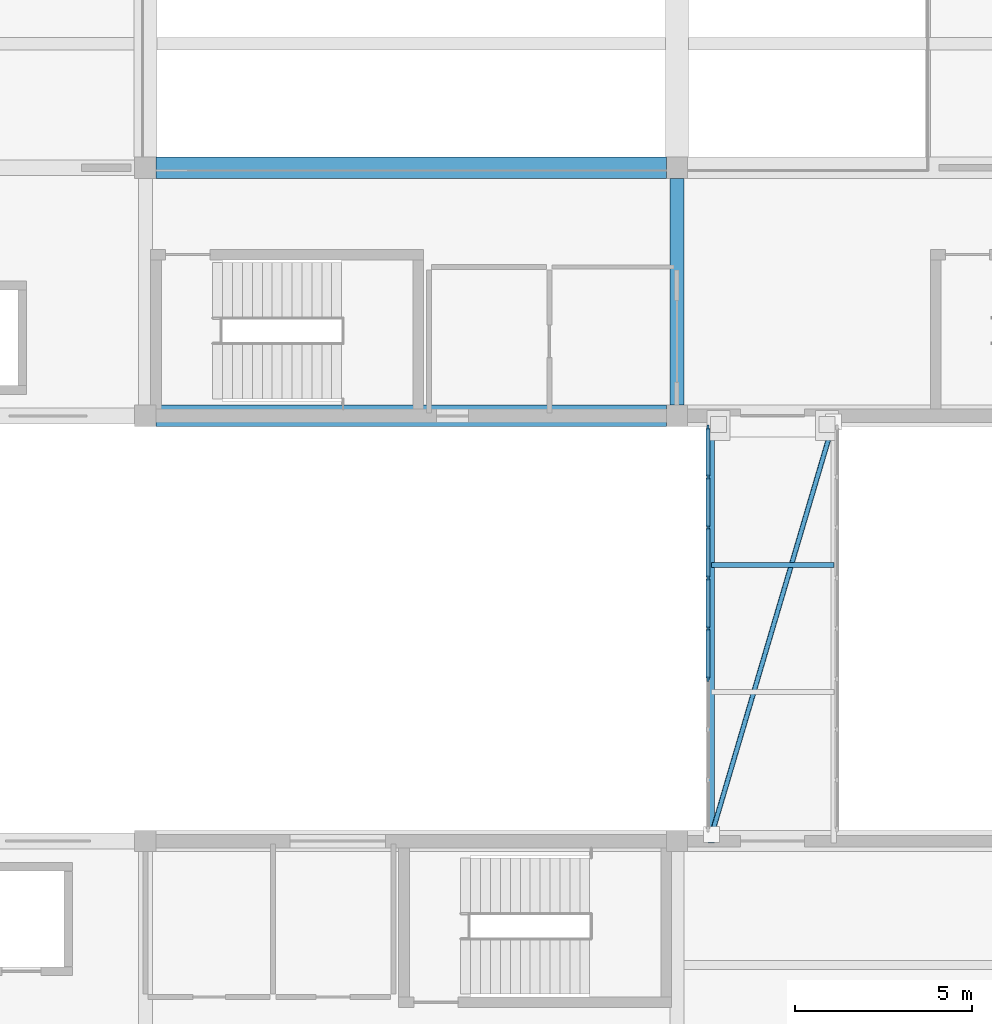
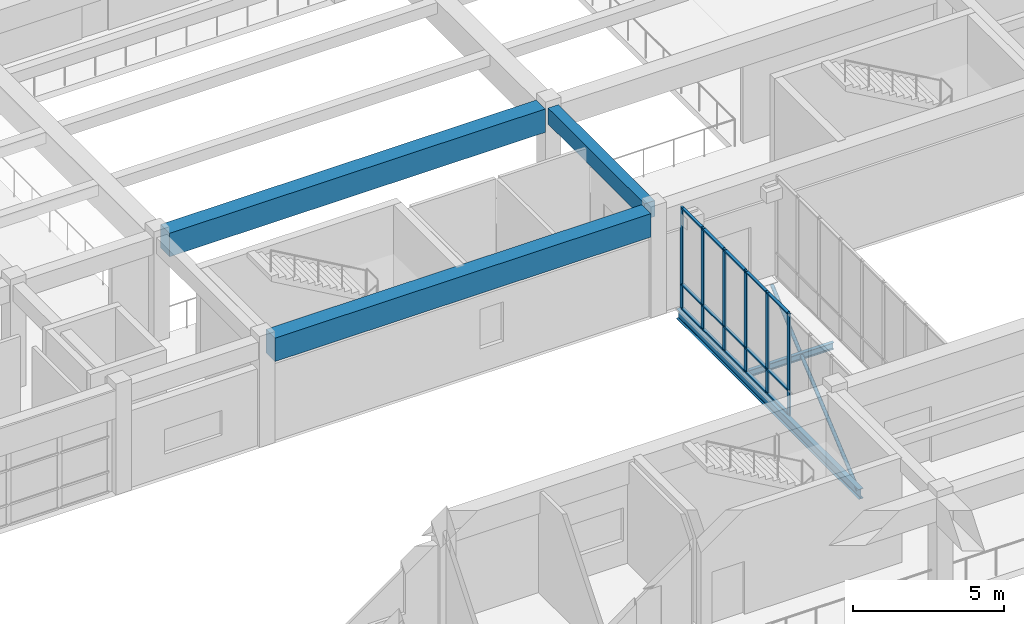
# One storey, part 12 of 72: 22 members, 5 beams, 1 element without a shape of its own.
"""IFC4 building model written with IfcOpenShell, lengths in metres."""

from ifc_helpers import new_model, si_unit, direction, frame, origin, origin_2d, place, context, subcontext, project, spatial, rectangle, hollow_circle, i_section, extrude, material, layer, layer_set, material_profile, profile_set, type_object, element, aggregate, save


model = new_model("IFC4")

# Units and contexts
model_context = context("Model", 3, precision=1e-05, world=origin(), true_north=direction((0.0, 1.0)))
body_context = subcontext(model_context, "Body", "Model", "MODEL_VIEW")
ifc_project = project(units=[si_unit("LENGTHUNIT", "METRE"), si_unit("AREAUNIT", "SQUARE_METRE"), si_unit("VOLUMEUNIT", "CUBIC_METRE"), si_unit("PLANEANGLEUNIT", "RADIAN"), si_unit("MASSUNIT", "GRAM", prefix="KILO")], contexts=[model_context])

# Site, building, storey
site_placement = place(None, origin())
site = spatial("IfcSite", under=ifc_project, at=site_placement, CompositionType="ELEMENT")
building_placement = place(site_placement, origin())
building = spatial("IfcBuilding", under=site, at=building_placement, Name="Naurynzar Civic Courthouse", CompositionType="ELEMENT")
storey_placement = place(building_placement, frame((0.0, 0.0, 9.89990234375)))
storey = spatial("IfcBuildingStorey", under=building, at=storey_placement, Name="L03", CompositionType="ELEMENT", Elevation=9.89990234375)

# Beams
ifc_material_1 = material(Name="Concrete C40/50", Category="concrete")
ifc_material_profile_1 = material_profile(ifc_material_1, rectangle(XDim=0.60009765625, YDim=0.949951171875, at=origin_2d()), Name="PTB 600x950")
ifc_profile_set_1 = profile_set([ifc_material_profile_1], Name="Concrete C40/50")
beam_type_1 = type_object("IfcBeamType", Name="BM-PT-600x950", PredefinedType="T_BEAM", material=ifc_profile_set_1)
for number, where, z_axis, x_axis, name in (
    (1, (20.300048828125, 44.0, 3.755126953125), (1.0, 0.0, 0.0), (0.0, 1.0, 0.0), "V1 beam X-167 L03"),
    (2, (20.300048828125, 51.0, 3.755126953125), (1.0, 0.0, 0.0), (0.0, 1.0, 0.0), "V1 beam X-172 L03"),
):
    element("IfcBeam", number, at=place(storey_placement, frame(where, z_axis=z_axis, x_axis=x_axis)), inside=storey, type_object=beam_type_1, Name=name, PredefinedType="T_BEAM", context=body_context, shape_type="SweptSolid", body=[
        extrude(rectangle(XDim=0.60009765625, YDim=0.949951171875, at=origin_2d()), origin(), (0.0, 0.0, 1.0), 14.39990234375),
    ])
ifc_material_2 = material(Name="Concrete C40/50", Category="concrete")
ifc_material_profile_2 = material_profile(ifc_material_2, rectangle(XDim=0.39990234375, YDim=0.64990234375, at=origin_2d()), Name="RCB 400x650")
ifc_profile_set_2 = profile_set([ifc_material_profile_2], Name="Concrete C40/50")
beam_type_2 = type_object("IfcBeamType", Name="BM-RC-400x650", PredefinedType="BEAM", material=ifc_profile_set_2)
beam_1_placement = place(storey_placement, frame((35.0, 44.300048828125, 3.905029296875), z_axis=(0.0, 1.0, 0.0), x_axis=(-1.0, 0.0, 0.0)))
element("IfcBeam", 3, at=beam_1_placement, inside=storey, type_object=beam_type_2, Name="V1 girder Y-194 L03", PredefinedType="BEAM", context=body_context, shape_type="SweptSolid", body=[
    extrude(rectangle(XDim=0.39990234375, YDim=0.64990234375, at=origin_2d()), origin(), (0.0, 0.0, 1.0), 6.39990234375),
])
ifc_material_3 = material(Name="Steel S355", Category="steel")
ifc_material_profile_3 = material_profile(ifc_material_3, i_section(OverallWidth=0.135009765625, OverallDepth=0.27001953125, WebThickness=0.006591796875, FlangeThickness=0.01025390625, FilletRadius=0.014892578125, at=origin_2d()), Name="IPE 270")
ifc_profile_set_3 = profile_set([ifc_material_profile_3], Name="Steel S355")
beam_type_3 = type_object("IfcBeamType", Name="BM-STL-IPE270", PredefinedType="BEAM", material=ifc_profile_set_3)
beam_2_placement = place(storey_placement, frame((35.969970703125, 39.7939453125, -0.375), z_axis=(1.0, 0.0, 0.0), x_axis=(0.0, 1.0, 0.0)))
element("IfcBeam", 4, at=beam_2_placement, inside=storey, type_object=beam_type_3, Name="BR-W1 deck cross-beam L03.2", PredefinedType="BEAM", context=body_context, shape_type="SweptSolid", body=[
    extrude(i_section(OverallWidth=0.135009765625, OverallDepth=0.27001953125, WebThickness=0.006591796875, FlangeThickness=0.01025390625, FilletRadius=0.014892578125, at=origin_2d()), origin(), (0.0, 0.0, 1.0), 3.4599609375),
])
ifc_material_4 = material(Name="Steel S355", Category="steel")
ifc_material_profile_4 = material_profile(ifc_material_4, i_section(OverallWidth=0.179931640625, OverallDepth=0.39990234375, WebThickness=0.008544921875, FlangeThickness=0.013427734375, FilletRadius=0.02099609375, at=origin_2d()), Name="IPE 400")
ifc_profile_set_4 = profile_set([ifc_material_profile_4], Name="Steel S355")
beam_type_4 = type_object("IfcBeamType", Name="BM-STL-IPE400", PredefinedType="BEAM", material=ifc_profile_set_4)
beam_3_placement = place(storey_placement, frame((35.969970703125, 31.949951171875, -0.43994140625), z_axis=(0.0, 1.0, 0.0), x_axis=(-1.0, 0.0, 0.0)))
element("IfcBeam", 5, at=beam_3_placement, inside=storey, type_object=beam_type_4, Name="BR-W1 edge steel beam L03.1", PredefinedType="BEAM", context=body_context, shape_type="SweptSolid", body=[
    extrude(i_section(OverallWidth=0.179931640625, OverallDepth=0.39990234375, WebThickness=0.008544921875, FlangeThickness=0.013427734375, FilletRadius=0.02099609375, at=origin_2d()), origin(), (0.0, 0.0, 1.0), 12.10009765625),
])

# Curtain wall, members
ifc_material_5 = material(Name="Aluminium 6063-T6", Category="aluminium")
ifc_layer = layer(ifc_material_5, 0.14990234375)
ifc_layer_set = layer_set([ifc_layer], Name="CW-BRIDGE-1500")
curtain_wall_type = type_object("IfcCurtainWallType", Name="CW-BRIDGE-1500", PredefinedType="USERDEFINED", material=ifc_layer_set)
curtain_wall_placement = place(storey_placement, origin())
curtain_wall = element("IfcCurtainWall", 6, at=curtain_wall_placement, inside=storey, type_object=curtain_wall_type, Name="BR-W1 glazed bridge screen L03.1", ObjectType="GLAZED BRIDGE SCREEN", PredefinedType="USERDEFINED")
ifc_material_6 = material(Name="Aluminium 6063-T6", Category="aluminium")
ifc_material_profile_5 = material_profile(ifc_material_6, rectangle(XDim=0.06005859375, YDim=0.14990234375, at=origin_2d()), Name="ALU MULLION 60x150")
ifc_profile_set_5 = profile_set([ifc_material_profile_5], Name="Aluminium 6063-T6")
member_type_1 = type_object("IfcMemberType", Name="CWM-60x150", PredefinedType="MULLION", material=ifc_profile_set_5)
member_1_placement = place(storey_placement, frame((35.8798828125, 43.669921875, 0.0), z_axis=(0.0, 0.0, 1.0), x_axis=(1.0, 0.0, 0.0)))
member_1 = element("IfcMember", 7, at=member_1_placement, type_object=member_type_1, Name="CW-03 mullion 1", PredefinedType="MULLION", context=body_context, shape_type="SweptSolid", body=[
    extrude(rectangle(XDim=0.06005859375, YDim=0.14990234375, at=origin_2d()), origin(), (0.0, 0.0, 1.0), 4.1201171875),
])
member_2_placement = place(storey_placement, frame((35.8798828125, 42.27490234375, 0.0), z_axis=(0.0, 0.0, 1.0), x_axis=(1.0, 0.0, 0.0)))
member_2 = element("IfcMember", 8, at=member_2_placement, type_object=member_type_1, Name="CW-03 mullion 2", PredefinedType="MULLION", context=body_context, shape_type="SweptSolid", body=[
    extrude(rectangle(XDim=0.06005859375, YDim=0.14990234375, at=origin_2d()), origin(), (0.0, 0.0, 1.0), 4.1201171875),
])
member_3_placement = place(storey_placement, frame((35.8798828125, 40.85009765625, 0.0), z_axis=(0.0, 0.0, 1.0), x_axis=(1.0, 0.0, 0.0)))
member_3 = element("IfcMember", 9, at=member_3_placement, type_object=member_type_1, Name="CW-03 mullion 3", PredefinedType="MULLION", context=body_context, shape_type="SweptSolid", body=[
    extrude(rectangle(XDim=0.06005859375, YDim=0.14990234375, at=origin_2d()), origin(), (0.0, 0.0, 1.0), 4.1201171875),
])
member_4_placement = place(storey_placement, frame((35.8798828125, 39.425048828125, 0.0), z_axis=(0.0, 0.0, 1.0), x_axis=(1.0, 0.0, 0.0)))
member_4 = element("IfcMember", 10, at=member_4_placement, type_object=member_type_1, Name="CW-03 mullion 4", PredefinedType="MULLION", context=body_context, shape_type="SweptSolid", body=[
    extrude(rectangle(XDim=0.06005859375, YDim=0.14990234375, at=origin_2d()), origin(), (0.0, 0.0, 1.0), 4.1201171875),
])
member_5_placement = place(storey_placement, frame((35.8798828125, 38.0, 0.0), z_axis=(0.0, 0.0, 1.0), x_axis=(1.0, 0.0, 0.0)))
member_5 = element("IfcMember", 11, at=member_5_placement, type_object=member_type_1, Name="CW-03 mullion 5", PredefinedType="MULLION", context=body_context, shape_type="SweptSolid", body=[
    extrude(rectangle(XDim=0.06005859375, YDim=0.14990234375, at=origin_2d()), origin(), (0.0, 0.0, 1.0), 4.1201171875),
])
member_6_placement = place(storey_placement, frame((35.8798828125, 36.574951171875, 0.0), z_axis=(0.0, 0.0, 1.0), x_axis=(1.0, 0.0, 0.0)))
member_6 = element("IfcMember", 12, at=member_6_placement, type_object=member_type_1, Name="CW-03 mullion 6", PredefinedType="MULLION", context=body_context, shape_type="SweptSolid", body=[
    extrude(rectangle(XDim=0.06005859375, YDim=0.14990234375, at=origin_2d()), origin(), (0.0, 0.0, 1.0), 4.1201171875),
])
ifc_material_7 = material(Name="Aluminium 6063-T6", Category="aluminium")
ifc_material_profile_6 = material_profile(ifc_material_7, rectangle(XDim=0.110107421875, YDim=0.06005859375, at=origin_2d()), Name="ALU TRANSOM 60x110")
ifc_profile_set_6 = profile_set([ifc_material_profile_6], Name="Aluminium 6063-T6")
member_type_2 = type_object("IfcMemberType", Name="CWT-60x110", PredefinedType="USERDEFINED", material=ifc_profile_set_6)
member_7_placement = place(storey_placement, frame((35.8798828125, 43.639892578125, 0.030029296875), z_axis=(0.0, -1.0, 0.0), x_axis=(1.0, 0.0, 0.0)))
member_7 = element("IfcMember", 13, at=member_7_placement, type_object=member_type_2, Name="CW-03 transom 1.1", ObjectType="TRANSOM", PredefinedType="USERDEFINED", context=body_context, shape_type="SweptSolid", body=[
    extrude(rectangle(XDim=0.110107421875, YDim=0.06005859375, at=origin_2d()), origin(), (0.0, 0.0, 1.0), 1.3349609375),
])
member_8_placement = place(storey_placement, frame((35.8798828125, 43.639892578125, 1.0), z_axis=(0.0, -1.0, 0.0), x_axis=(1.0, 0.0, 0.0)))
member_8 = element("IfcMember", 14, at=member_8_placement, type_object=member_type_2, Name="CW-03 transom 1.2", ObjectType="TRANSOM", PredefinedType="USERDEFINED", context=body_context, shape_type="SweptSolid", body=[
    extrude(rectangle(XDim=0.110107421875, YDim=0.06005859375, at=origin_2d()), origin(), (0.0, 0.0, 1.0), 1.3349609375),
])
member_9_placement = place(storey_placement, frame((35.8798828125, 43.639892578125, 4.090087890625), z_axis=(0.0, -1.0, 0.0), x_axis=(1.0, 0.0, 0.0)))
member_9 = element("IfcMember", 15, at=member_9_placement, type_object=member_type_2, Name="CW-03 transom 1.3", ObjectType="TRANSOM", PredefinedType="USERDEFINED", context=body_context, shape_type="SweptSolid", body=[
    extrude(rectangle(XDim=0.110107421875, YDim=0.06005859375, at=origin_2d()), origin(), (0.0, 0.0, 1.0), 1.3349609375),
])
member_10_placement = place(storey_placement, frame((35.8798828125, 42.2451171875, 0.030029296875), z_axis=(0.0, -1.0, 0.0), x_axis=(1.0, 0.0, 0.0)))
member_10 = element("IfcMember", 16, at=member_10_placement, type_object=member_type_2, Name="CW-03 transom 2.1", ObjectType="TRANSOM", PredefinedType="USERDEFINED", context=body_context, shape_type="SweptSolid", body=[
    extrude(rectangle(XDim=0.110107421875, YDim=0.06005859375, at=origin_2d()), origin(), (0.0, 0.0, 1.0), 1.365234375),
])
member_11_placement = place(storey_placement, frame((35.8798828125, 42.2451171875, 1.0), z_axis=(0.0, -1.0, 0.0), x_axis=(1.0, 0.0, 0.0)))
member_11 = element("IfcMember", 17, at=member_11_placement, type_object=member_type_2, Name="CW-03 transom 2.2", ObjectType="TRANSOM", PredefinedType="USERDEFINED", context=body_context, shape_type="SweptSolid", body=[
    extrude(rectangle(XDim=0.110107421875, YDim=0.06005859375, at=origin_2d()), origin(), (0.0, 0.0, 1.0), 1.365234375),
])
member_12_placement = place(storey_placement, frame((35.8798828125, 42.2451171875, 4.090087890625), z_axis=(0.0, -1.0, 0.0), x_axis=(1.0, 0.0, 0.0)))
member_12 = element("IfcMember", 18, at=member_12_placement, type_object=member_type_2, Name="CW-03 transom 2.3", ObjectType="TRANSOM", PredefinedType="USERDEFINED", context=body_context, shape_type="SweptSolid", body=[
    extrude(rectangle(XDim=0.110107421875, YDim=0.06005859375, at=origin_2d()), origin(), (0.0, 0.0, 1.0), 1.365234375),
])
member_13_placement = place(storey_placement, frame((35.8798828125, 40.820068359375, 0.030029296875), z_axis=(0.0, -1.0, 0.0), x_axis=(1.0, 0.0, 0.0)))
member_13 = element("IfcMember", 19, at=member_13_placement, type_object=member_type_2, Name="CW-03 transom 3.1", ObjectType="TRANSOM", PredefinedType="USERDEFINED", context=body_context, shape_type="SweptSolid", body=[
    extrude(rectangle(XDim=0.110107421875, YDim=0.06005859375, at=origin_2d()), origin(), (0.0, 0.0, 1.0), 1.364990234375),
])
member_14_placement = place(storey_placement, frame((35.8798828125, 40.820068359375, 1.0), z_axis=(0.0, -1.0, 0.0), x_axis=(1.0, 0.0, 0.0)))
member_14 = element("IfcMember", 20, at=member_14_placement, type_object=member_type_2, Name="CW-03 transom 3.2", ObjectType="TRANSOM", PredefinedType="USERDEFINED", context=body_context, shape_type="SweptSolid", body=[
    extrude(rectangle(XDim=0.110107421875, YDim=0.06005859375, at=origin_2d()), origin(), (0.0, 0.0, 1.0), 1.364990234375),
])
member_15_placement = place(storey_placement, frame((35.8798828125, 40.820068359375, 4.090087890625), z_axis=(0.0, -1.0, 0.0), x_axis=(1.0, 0.0, 0.0)))
member_15 = element("IfcMember", 21, at=member_15_placement, type_object=member_type_2, Name="CW-03 transom 3.3", ObjectType="TRANSOM", PredefinedType="USERDEFINED", context=body_context, shape_type="SweptSolid", body=[
    extrude(rectangle(XDim=0.110107421875, YDim=0.06005859375, at=origin_2d()), origin(), (0.0, 0.0, 1.0), 1.364990234375),
])
member_16_placement = place(storey_placement, frame((35.8798828125, 39.39501953125, 0.030029296875), z_axis=(0.0, -1.0, 0.0), x_axis=(1.0, 0.0, 0.0)))
member_16 = element("IfcMember", 22, at=member_16_placement, type_object=member_type_2, Name="CW-03 transom 4.1", ObjectType="TRANSOM", PredefinedType="USERDEFINED", context=body_context, shape_type="SweptSolid", body=[
    extrude(rectangle(XDim=0.110107421875, YDim=0.06005859375, at=origin_2d()), origin(), (0.0, 0.0, 1.0), 1.364990234375),
])
member_17_placement = place(storey_placement, frame((35.8798828125, 39.39501953125, 1.0), z_axis=(0.0, -1.0, 0.0), x_axis=(1.0, 0.0, 0.0)))
member_17 = element("IfcMember", 23, at=member_17_placement, type_object=member_type_2, Name="CW-03 transom 4.2", ObjectType="TRANSOM", PredefinedType="USERDEFINED", context=body_context, shape_type="SweptSolid", body=[
    extrude(rectangle(XDim=0.110107421875, YDim=0.06005859375, at=origin_2d()), origin(), (0.0, 0.0, 1.0), 1.364990234375),
])
member_18_placement = place(storey_placement, frame((35.8798828125, 39.39501953125, 4.090087890625), z_axis=(0.0, -1.0, 0.0), x_axis=(1.0, 0.0, 0.0)))
member_18 = element("IfcMember", 24, at=member_18_placement, type_object=member_type_2, Name="CW-03 transom 4.3", ObjectType="TRANSOM", PredefinedType="USERDEFINED", context=body_context, shape_type="SweptSolid", body=[
    extrude(rectangle(XDim=0.110107421875, YDim=0.06005859375, at=origin_2d()), origin(), (0.0, 0.0, 1.0), 1.364990234375),
])
member_19_placement = place(storey_placement, frame((35.8798828125, 37.969970703125, 0.030029296875), z_axis=(0.0, -1.0, 0.0), x_axis=(1.0, 0.0, 0.0)))
member_19 = element("IfcMember", 25, at=member_19_placement, type_object=member_type_2, Name="CW-03 transom 5.1", ObjectType="TRANSOM", PredefinedType="USERDEFINED", context=body_context, shape_type="SweptSolid", body=[
    extrude(rectangle(XDim=0.110107421875, YDim=0.06005859375, at=origin_2d()), origin(), (0.0, 0.0, 1.0), 1.364990234375),
])
member_20_placement = place(storey_placement, frame((35.8798828125, 37.969970703125, 1.0), z_axis=(0.0, -1.0, 0.0), x_axis=(1.0, 0.0, 0.0)))
member_20 = element("IfcMember", 26, at=member_20_placement, type_object=member_type_2, Name="CW-03 transom 5.2", ObjectType="TRANSOM", PredefinedType="USERDEFINED", context=body_context, shape_type="SweptSolid", body=[
    extrude(rectangle(XDim=0.110107421875, YDim=0.06005859375, at=origin_2d()), origin(), (0.0, 0.0, 1.0), 1.364990234375),
])
member_21_placement = place(storey_placement, frame((35.8798828125, 37.969970703125, 4.090087890625), z_axis=(0.0, -1.0, 0.0), x_axis=(1.0, 0.0, 0.0)))
member_21 = element("IfcMember", 27, at=member_21_placement, type_object=member_type_2, Name="CW-03 transom 5.3", ObjectType="TRANSOM", PredefinedType="USERDEFINED", context=body_context, shape_type="SweptSolid", body=[
    extrude(rectangle(XDim=0.110107421875, YDim=0.06005859375, at=origin_2d()), origin(), (0.0, 0.0, 1.0), 1.364990234375),
])
aggregate(curtain_wall, [member_1, member_2, member_3, member_4, member_5, member_6, member_7, member_8, member_9, member_10, member_11, member_12, member_13, member_14, member_15, member_16, member_17, member_18, member_19, member_20, member_21])

# Member
ifc_material_8 = material(Name="Steel S355", Category="steel")
ifc_material_profile_7 = material_profile(ifc_material_8, hollow_circle(Radius=0.06982421875, WallThickness=0.008056640625, at=origin_2d()), Name="CHS 139.7x8")
ifc_profile_set_7 = profile_set([ifc_material_profile_7], Name="Steel S355")
member_type_3 = type_object("IfcMemberType", Name="MEM-BRACE-CHS139", PredefinedType="BRACE", material=ifc_profile_set_7)
member_22_placement = place(storey_placement, frame((35.97998046875, 32.179931640625, -0.40478515625), z_axis=(0.283407524243, 0.95899956997, 0.0), x_axis=(-0.95899956997, 0.283407524243, 0.0)))
element("IfcMember", 28, at=member_22_placement, inside=storey, type_object=member_type_3, Name="BR-W1 wind brace L03.1", PredefinedType="BRACE", context=body_context, shape_type="SweptSolid", body=[
    extrude(hollow_circle(Radius=0.06982421875, WallThickness=0.008056640625, at=origin_2d()), origin(), (0.0, 0.0, 1.0), 12.1376953125),
])

save(model, "model.ifc")
